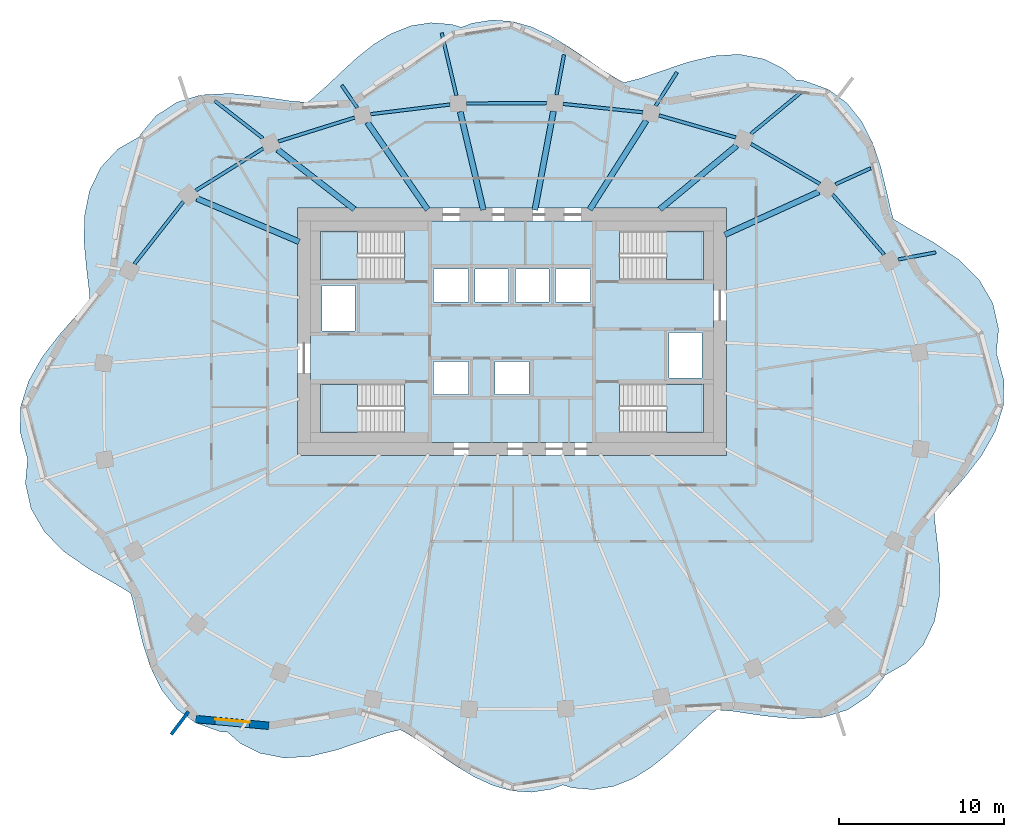
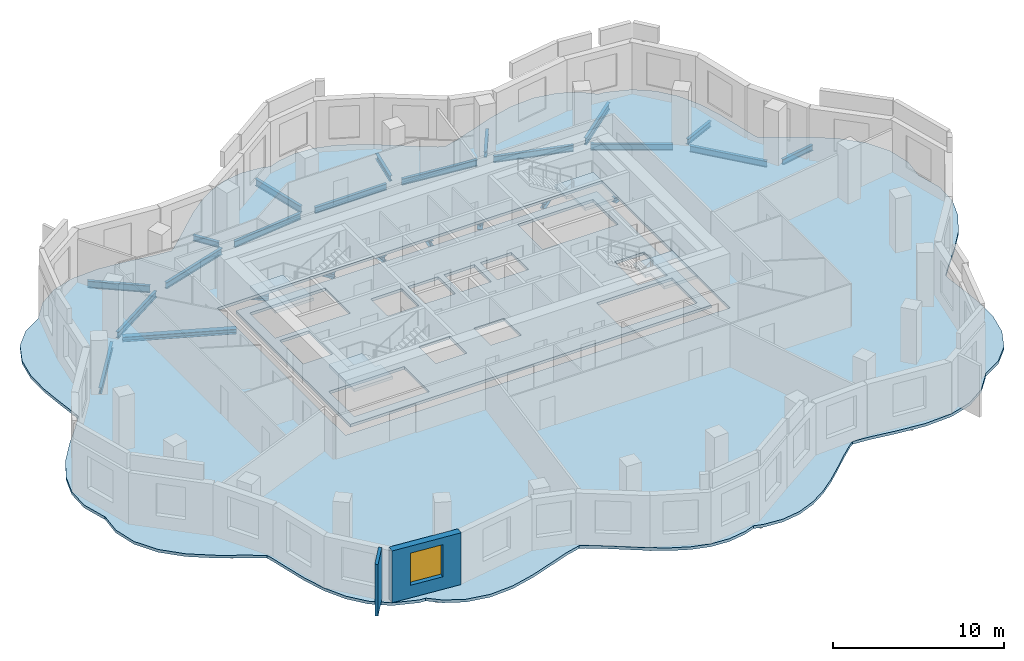
# One storey, part 2 of 9: 25 beams, 6 slabs, 2 walls, 1 window, 1 opening, 4 elements without a shape of their own.
"""IFC4 building model written with IfcOpenShell, lengths in metres."""

from ifc_helpers import new_model, si_unit, direction, frame, frame_2d, origin, origin_2d, place, context, subcontext, project, spatial, polyline, rectangle, i_section, outline, extrude, material, layer, layer_set, material_profile, profile_set, type_object, element, fill, aggregate, save


model = new_model("IFC4")

# Units and contexts
model_context = context("Model", 3, precision=1e-05, world=origin(), true_north=direction((0.0, 1.0)))
body_context = subcontext(model_context, "Body", "Model", "MODEL_VIEW")
ifc_project = project(units=[si_unit("LENGTHUNIT", "METRE"), si_unit("AREAUNIT", "SQUARE_METRE"), si_unit("VOLUMEUNIT", "CUBIC_METRE"), si_unit("PLANEANGLEUNIT", "RADIAN"), si_unit("MASSUNIT", "GRAM", prefix="KILO")], contexts=[model_context])

# Site, building, storey
site_placement = place(None, origin())
site = spatial("IfcSite", under=ifc_project, at=site_placement, CompositionType="ELEMENT")
building_placement = place(site_placement, origin())
building = spatial("IfcBuilding", under=site, at=building_placement, Name="Rubra Terraces Tower", CompositionType="ELEMENT")
storey_placement = place(building_placement, frame((0.0, 0.0, 248.699951171875)))
storey = spatial("IfcBuildingStorey", under=building, at=storey_placement, Name="L61", CompositionType="ELEMENT", Elevation=248.699951171875)

# Beams
ifc_material_1 = material(Name="Steel Q355B", Category="steel")
ifc_material_profile_1 = material_profile(ifc_material_1, i_section(OverallWidth=0.199951171875, OverallDepth=0.39990234375, WebThickness=0.008056640625, FlangeThickness=0.012939453125, at=origin_2d()), Name="HN 400x200x8x13")
ifc_profile_set_1 = profile_set([ifc_material_profile_1], Name="Steel Q355B")
beam_type_1 = type_object("IfcBeamType", Name="CANTILEVER BEAM HN 400x200x8x13", PredefinedType="BEAM", material=ifc_profile_set_1)
beam_1_placement = place(storey_placement, frame((23.39794921875, 8.884033203125, -0.39990234375), z_axis=(0.982868607844, 0.184307622507, 0.0), x_axis=(-0.184307622507, 0.982868607844, 0.0)))
element("IfcBeam", 1, at=beam_1_placement, inside=storey, type_object=beam_type_1, Name="beam-L61-cant-02", PredefinedType="BEAM", context=body_context, shape_type="SweptSolid", body=[
    extrude(i_section(OverallWidth=0.199951171875, OverallDepth=0.39990234375, WebThickness=0.008056640625, FlangeThickness=0.012939453125, at=origin_2d()), origin(), (0.0, 0.0, 1.0), 2.31689453125),
])
beam_2_placement = place(storey_placement, frame((19.596923828125, 13.43896484375, -0.39990234375), z_axis=(0.909791454917, 0.415065667769, 0.0), x_axis=(-0.415065667769, 0.909791454917, 0.0)))
element("IfcBeam", 2, at=beam_2_placement, inside=storey, type_object=beam_type_1, Name="beam-L61-cant-03", PredefinedType="BEAM", context=body_context, shape_type="SweptSolid", body=[
    extrude(i_section(OverallWidth=0.199951171875, OverallDepth=0.39990234375, WebThickness=0.008056640625, FlangeThickness=0.012939453125, at=origin_2d()), origin(), (0.0, 0.0, 1.0), 2.344482421875),
])
beam_3_placement = place(storey_placement, frame((8.7099609375, 18.201904296875, -0.39990234375), z_axis=(0.536577917642, 0.84385077964, 0.0), x_axis=(-0.84385077964, 0.536577917642, 0.0)))
element("IfcBeam", 3, at=beam_3_placement, inside=storey, type_object=beam_type_1, Name="beam-L61-cant-05", PredefinedType="BEAM", context=body_context, shape_type="SweptSolid", body=[
    extrude(i_section(OverallWidth=0.199951171875, OverallDepth=0.39990234375, WebThickness=0.008056640625, FlangeThickness=0.012939453125, at=origin_2d()), origin(), (0.0, 0.0, 1.0), 2.38916015625),
])
beam_4_placement = place(storey_placement, frame((2.695068359375, 18.85400390625, -0.39990234375), z_axis=(0.18429449499, 0.982871069427, 0.0), x_axis=(-0.982871069427, 0.18429449499, 0.0)))
element("IfcBeam", 4, at=beam_4_placement, inside=storey, type_object=beam_type_1, Name="beam-L61-cant-06", PredefinedType="BEAM", context=body_context, shape_type="SweptSolid", body=[
    extrude(i_section(OverallWidth=0.199951171875, OverallDepth=0.39990234375, WebThickness=0.008056640625, FlangeThickness=0.012939453125, at=origin_2d()), origin(), (0.0, 0.0, 1.0), 2.473388671875),
])
beam_5_placement = place(storey_placement, frame((-9.3701171875, 18.070068359375, -0.39990234375), z_axis=(-0.568287582361, 0.822830009014, 0.0), x_axis=(-0.822830009014, -0.568287582361, 0.0)))
element("IfcBeam", 5, at=beam_5_placement, inside=storey, type_object=beam_type_1, Name="beam-L61-cant-08", PredefinedType="BEAM", context=body_context, shape_type="SweptSolid", body=[
    extrude(i_section(OverallWidth=0.199951171875, OverallDepth=0.39990234375, WebThickness=0.008056640625, FlangeThickness=0.012939453125, at=origin_2d()), origin(), (0.0, 0.0, 1.0), 1.666015625),
])
ifc_material_profile_2 = material_profile(ifc_material_1, i_section(OverallWidth=0.198974609375, OverallDepth=0.49609375, WebThickness=0.009033203125, FlangeThickness=0.013916015625, at=origin_2d()), Name="HN 496x199x9x14")
ifc_profile_set_2 = profile_set([ifc_material_profile_2], Name="Steel Q355B")
beam_type_2 = type_object("IfcBeamType", Name="CANTILEVER BEAM HN 496x199x9x14", PredefinedType="BEAM", material=ifc_profile_set_2)
beam_6_placement = place(storey_placement, frame((14.47509765625, 16.4951171875, -0.447998046875), z_axis=(0.770112647774, 0.637907916347, 0.0), x_axis=(-0.637907916347, 0.770112647774, 0.0)))
element("IfcBeam", 6, at=beam_6_placement, inside=storey, type_object=beam_type_2, Name="beam-L61-cant-04", PredefinedType="BEAM", context=body_context, shape_type="SweptSolid", body=[
    extrude(i_section(OverallWidth=0.198974609375, OverallDepth=0.49609375, WebThickness=0.009033203125, FlangeThickness=0.013916015625, at=origin_2d()), origin(), (0.0, 0.0, 1.0), 3.949951171875),
])
beam_7_placement = place(storey_placement, frame((-3.3701171875, 18.823974609375, -0.447998046875), z_axis=(-0.228972734486, 0.973432836338, 0.0), x_axis=(-0.973432836338, -0.228972734486, 0.0)))
element("IfcBeam", 7, at=beam_7_placement, inside=storey, type_object=beam_type_2, Name="beam-L61-cant-07", PredefinedType="BEAM", context=body_context, shape_type="SweptSolid", body=[
    extrude(i_section(OverallWidth=0.198974609375, OverallDepth=0.49609375, WebThickness=0.009033203125, FlangeThickness=0.013916015625, at=origin_2d()), origin(), (0.0, 0.0, 1.0), 3.882080078125),
])
beam_8_placement = place(storey_placement, frame((-15.087890625, 16.22705078125, -0.447998046875), z_axis=(-0.789596931968, 0.613625851009, 0.0), x_axis=(-0.613625851009, -0.789596931968, 0.0)))
element("IfcBeam", 8, at=beam_8_placement, inside=storey, type_object=beam_type_2, Name="beam-L61-cant-09", PredefinedType="BEAM", context=body_context, shape_type="SweptSolid", body=[
    extrude(i_section(OverallWidth=0.198974609375, OverallDepth=0.49609375, WebThickness=0.009033203125, FlangeThickness=0.013916015625, at=origin_2d()), origin(), (0.0, 0.0, 1.0), 3.705810546875),
])
ifc_material_profile_3 = material_profile(ifc_material_1, i_section(OverallWidth=0.35009765625, OverallDepth=0.35009765625, WebThickness=0.011962890625, FlangeThickness=0.01904296875, at=origin_2d()), Name="HW 350x350x12x19")
ifc_profile_set_3 = profile_set([ifc_material_profile_3], Name="Steel Q355B")
beam_type_3 = type_object("IfcBeamType", Name="FLOOR BEAM HW 350x350x12x19", PredefinedType="BEAM", material=ifc_profile_set_3)
beam_9_placement = place(storey_placement, frame((18.5869140625, 12.97900390625, -0.375), z_axis=(-0.909756526533, -0.415142219523, 0.0), x_axis=(0.415142219523, -0.909756526533, 0.0)))
element("IfcBeam", 9, at=beam_9_placement, inside=storey, type_object=beam_type_3, Name="beam-L61-floor-03", PredefinedType="BEAM", context=body_context, shape_type="SweptSolid", body=[
    extrude(i_section(OverallWidth=0.35009765625, OverallDepth=0.35009765625, WebThickness=0.011962890625, FlangeThickness=0.01904296875, at=origin_2d()), origin(), (0.0, 0.0, 1.0), 6.2607421875),
])
beam_10_placement = place(storey_placement, frame((13.60888671875, 15.777099609375, -0.375), z_axis=(-0.769987518392, -0.638058948312, 0.0), x_axis=(0.638058948312, -0.769987518392, 0.0)))
element("IfcBeam", 10, at=beam_10_placement, inside=storey, type_object=beam_type_3, Name="beam-L61-floor-04", PredefinedType="BEAM", context=body_context, shape_type="SweptSolid", body=[
    extrude(i_section(OverallWidth=0.35009765625, OverallDepth=0.35009765625, WebThickness=0.011962890625, FlangeThickness=0.01904296875, at=origin_2d()), origin(), (0.0, 0.0, 1.0), 6.040283203125),
])
beam_11_placement = place(storey_placement, frame((8.134033203125, 17.2958984375, -0.375), z_axis=(-0.536509861106, -0.843894050776, 0.0), x_axis=(0.843894050776, -0.536509861106, 0.0)))
element("IfcBeam", 11, at=beam_11_placement, inside=storey, type_object=beam_type_3, Name="beam-L61-floor-05", PredefinedType="BEAM", context=body_context, shape_type="SweptSolid", body=[
    extrude(i_section(OverallWidth=0.35009765625, OverallDepth=0.35009765625, WebThickness=0.011962890625, FlangeThickness=0.01904296875, at=origin_2d()), origin(), (0.0, 0.0, 1.0), 6.395263671875),
])
beam_12_placement = place(storey_placement, frame((2.509033203125, 17.862060546875, -0.375), z_axis=(-0.184574398021, -0.982818544593, 0.0), x_axis=(0.982818544593, -0.184574398021, 0.0)))
element("IfcBeam", 12, at=beam_12_placement, inside=storey, type_object=beam_type_3, Name="beam-L61-floor-06", PredefinedType="BEAM", context=body_context, shape_type="SweptSolid", body=[
    extrude(i_section(OverallWidth=0.35009765625, OverallDepth=0.35009765625, WebThickness=0.011962890625, FlangeThickness=0.01904296875, at=origin_2d()), origin(), (0.0, 0.0, 1.0), 6.08447265625),
])
beam_13_placement = place(storey_placement, frame((-3.137939453125, 17.8359375, -0.375), z_axis=(0.229070485592, -0.973409837957, 0.0), x_axis=(0.973409837957, 0.229070485592, 0.0)))
element("IfcBeam", 13, at=beam_13_placement, inside=storey, type_object=beam_type_3, Name="beam-L61-floor-07", PredefinedType="BEAM", context=body_context, shape_type="SweptSolid", body=[
    extrude(i_section(OverallWidth=0.35009765625, OverallDepth=0.35009765625, WebThickness=0.011962890625, FlangeThickness=0.01904296875, at=origin_2d()), origin(), (0.0, 0.0, 1.0), 6.115478515625),
])
beam_14_placement = place(storey_placement, frame((-8.756103515625, 17.179931640625, -0.375), z_axis=(0.568186422001, -0.822899866238, 0.0), x_axis=(0.822899866238, 0.568186422001, 0.0)))
element("IfcBeam", 14, at=beam_14_placement, inside=storey, type_object=beam_type_3, Name="beam-L61-floor-08", PredefinedType="BEAM", context=body_context, shape_type="SweptSolid", body=[
    extrude(i_section(OverallWidth=0.35009765625, OverallDepth=0.35009765625, WebThickness=0.011962890625, FlangeThickness=0.01904296875, at=origin_2d()), origin(), (0.0, 0.0, 1.0), 6.415283203125),
])
beam_15_placement = place(storey_placement, frame((-14.197998046875, 15.534912109375, -0.375), z_axis=(0.789548898228, -0.613687654517, 0.0), x_axis=(0.613687654517, 0.789548898228, 0.0)))
element("IfcBeam", 15, at=beam_15_placement, inside=storey, type_object=beam_type_3, Name="beam-L61-floor-09", PredefinedType="BEAM", context=body_context, shape_type="SweptSolid", body=[
    extrude(i_section(OverallWidth=0.35009765625, OverallDepth=0.35009765625, WebThickness=0.011962890625, FlangeThickness=0.01904296875, at=origin_2d()), origin(), (0.0, 0.0, 1.0), 5.880615234375),
])
beam_16_placement = place(storey_placement, frame((-19.083984375, 12.574951171875, -0.375), z_axis=(0.92097476483, -0.38962223056, 0.0), x_axis=(0.38962223056, 0.92097476483, 0.0)))
element("IfcBeam", 16, at=beam_16_placement, inside=storey, type_object=beam_type_3, Name="beam-L61-floor-10", PredefinedType="BEAM", context=body_context, shape_type="SweptSolid", body=[
    extrude(i_section(OverallWidth=0.35009765625, OverallDepth=0.35009765625, WebThickness=0.011962890625, FlangeThickness=0.01904296875, at=origin_2d()), origin(), (0.0, 0.0, 1.0), 6.7265625),
])
ifc_material_profile_4 = material_profile(ifc_material_1, i_section(OverallWidth=0.198974609375, OverallDepth=0.446044921875, WebThickness=0.008056640625, FlangeThickness=0.011962890625, at=origin_2d()), Name="HN 446x199x8x12")
ifc_profile_set_4 = profile_set([ifc_material_profile_4], Name="Steel Q355B")
beam_type_4 = type_object("IfcBeamType", Name="SPANDREL BEAM HN 446x199x8x12", PredefinedType="SPANDREL", material=ifc_profile_set_4)
beam_17_placement = place(storey_placement, frame((22.547119140625, 9.174072265625, -0.4228515625), z_axis=(-0.650372836218, 0.759615148552, 0.0), x_axis=(-0.759615148552, -0.650372836218, 0.0)))
element("IfcBeam", 17, at=beam_17_placement, inside=storey, type_object=beam_type_4, Name="beam-L61-spandrel-02", PredefinedType="SPANDREL", context=body_context, shape_type="SweptSolid", body=[
    extrude(i_section(OverallWidth=0.198974609375, OverallDepth=0.446044921875, WebThickness=0.008056640625, FlangeThickness=0.011962890625, at=origin_2d()), origin(), (0.0, 0.0, 1.0), 4.804931640625),
])
beam_18_placement = place(storey_placement, frame((18.653076171875, 13.462890625, -0.4228515625), z_axis=(-0.865153680787, 0.501506838059, 0.0), x_axis=(-0.501506838059, -0.865153680787, 0.0)))
element("IfcBeam", 18, at=beam_18_placement, inside=storey, type_object=beam_type_4, Name="beam-L61-spandrel-03", PredefinedType="SPANDREL", context=body_context, shape_type="SweptSolid", body=[
    extrude(i_section(OverallWidth=0.198974609375, OverallDepth=0.446044921875, WebThickness=0.008056640625, FlangeThickness=0.011962890625, at=origin_2d()), origin(), (0.0, 0.0, 1.0), 4.82568359375),
])
beam_19_placement = place(storey_placement, frame((13.55810546875, 16.27490234375, -0.4228515625), z_axis=(-0.961171164323, 0.275952881621, 0.0), x_axis=(-0.275952881621, -0.961171164323, 0.0)))
element("IfcBeam", 19, at=beam_19_placement, inside=storey, type_object=beam_type_4, Name="beam-L61-spandrel-04", PredefinedType="SPANDREL", context=body_context, shape_type="SweptSolid", body=[
    extrude(i_section(OverallWidth=0.198974609375, OverallDepth=0.446044921875, WebThickness=0.008056640625, FlangeThickness=0.011962890625, at=origin_2d()), origin(), (0.0, 0.0, 1.0), 4.842041015625),
])
beam_20_placement = place(storey_placement, frame((7.923095703125, 17.801025390625, -0.4228515625), z_axis=(-0.994565426955, 0.104113454971, 0.0), x_axis=(-0.104113454971, -0.994565426955, 0.0)))
element("IfcBeam", 20, at=beam_20_placement, inside=storey, type_object=beam_type_4, Name="beam-L61-spandrel-05", PredefinedType="SPANDREL", context=body_context, shape_type="SweptSolid", body=[
    extrude(i_section(OverallWidth=0.198974609375, OverallDepth=0.446044921875, WebThickness=0.008056640625, FlangeThickness=0.011962890625, at=origin_2d()), origin(), (0.0, 0.0, 1.0), 4.849365234375),
])
beam_21_placement = place(storey_placement, frame((2.10107421875, 18.35595703125, -0.4228515625), z_axis=(-0.999987852299, -0.004929021704, 0.0), x_axis=(0.004929021704, -0.999987852299, 0.0)))
element("IfcBeam", 21, at=beam_21_placement, inside=storey, type_object=beam_type_4, Name="beam-L61-spandrel-06", PredefinedType="SPANDREL", context=body_context, shape_type="SweptSolid", body=[
    extrude(i_section(OverallWidth=0.198974609375, OverallDepth=0.446044921875, WebThickness=0.008056640625, FlangeThickness=0.011962890625, at=origin_2d()), origin(), (0.0, 0.0, 1.0), 4.85400390625),
])
beam_22_placement = place(storey_placement, frame((-3.7509765625, 18.27001953125, -0.4228515625), z_axis=(-0.992698018573, -0.120626049929, 0.0), x_axis=(0.120626049929, -0.992698018573, 0.0)))
element("IfcBeam", 22, at=beam_22_placement, inside=storey, type_object=beam_type_4, Name="beam-L61-spandrel-07", PredefinedType="SPANDREL", context=body_context, shape_type="SweptSolid", body=[
    extrude(i_section(OverallWidth=0.198974609375, OverallDepth=0.446044921875, WebThickness=0.008056640625, FlangeThickness=0.011962890625, at=origin_2d()), origin(), (0.0, 0.0, 1.0), 4.849365234375),
])
beam_23_placement = place(storey_placement, frame((-9.5419921875, 17.47509765625, -0.4228515625), z_axis=(-0.954462027342, -0.298332429282, 0.0), x_axis=(0.298332429282, -0.954462027342, 0.0)))
element("IfcBeam", 23, at=beam_23_placement, inside=storey, type_object=beam_type_4, Name="beam-L61-spandrel-08", PredefinedType="SPANDREL", context=body_context, shape_type="SweptSolid", body=[
    extrude(i_section(OverallWidth=0.198974609375, OverallDepth=0.446044921875, WebThickness=0.008056640625, FlangeThickness=0.011962890625, at=origin_2d()), origin(), (0.0, 0.0, 1.0), 4.840576171875),
])
beam_24_placement = place(storey_placement, frame((-15.071044921875, 15.614013671875, -0.4228515625), z_axis=(-0.848183088492, -0.529703170083, 0.0), x_axis=(0.529703170083, -0.848183088492, 0.0)))
element("IfcBeam", 24, at=beam_24_placement, inside=storey, type_object=beam_type_4, Name="beam-L61-spandrel-09", PredefinedType="SPANDREL", context=body_context, shape_type="SweptSolid", body=[
    extrude(i_section(OverallWidth=0.198974609375, OverallDepth=0.446044921875, WebThickness=0.008056640625, FlangeThickness=0.011962890625, at=origin_2d()), origin(), (0.0, 0.0, 1.0), 4.8232421875),
])
beam_25_placement = place(storey_placement, frame((-19.906005859375, 12.39111328125, -0.4228515625), z_axis=(-0.617060338015, -0.786915840004, 0.0), x_axis=(0.786915840004, -0.617060338015, 0.0)))
element("IfcBeam", 25, at=beam_25_placement, inside=storey, type_object=beam_type_4, Name="beam-L61-spandrel-10", PredefinedType="SPANDREL", context=body_context, shape_type="SweptSolid", body=[
    extrude(i_section(OverallWidth=0.198974609375, OverallDepth=0.446044921875, WebThickness=0.008056640625, FlangeThickness=0.011962890625, at=origin_2d()), origin(), (0.0, 0.0, 1.0), 4.8037109375),
])

# Slab
ifc_material_2 = material(Name="Concrete C40", Category="concrete")
ifc_layer_1 = layer(ifc_material_2, 0.199951171875)
ifc_layer_set_1 = layer_set([ifc_layer_1], Name="Concrete C40")
slab_type_1 = type_object("IfcSlabType", Name="Core floor slab 200 concrete", PredefinedType="FLOOR", material=ifc_layer_set_1)
slab_1_placement = place(storey_placement, frame((0.0, 0.0, -0.199951171875)))
element("IfcSlab", 26, at=slab_1_placement, inside=storey, type_object=slab_type_1, Name="CORE FLOOR SLAB L61", PredefinedType="FLOOR", context=body_context, shape_type="SweptSolid", body=[
    extrude(outline(polyline([(-12.199951171875, -2.199951171875), (-12.199951171875, 11.199951171875), (12.199951171875, 11.199951171875), (12.199951171875, -2.199951171875), (-12.199951171875, -2.199951171875)]), holes=[polyline([(11.597900390625, 1.347900390625), (6.501953125, 1.347900390625), (6.501953125, -1.597900390625), (11.597900390625, -1.597900390625), (11.597900390625, 1.347900390625)]), polyline([(11.597900390625, 7.652099609375), (11.597900390625, 10.597900390625), (6.501953125, 10.597900390625), (6.501953125, 7.652099609375), (11.597900390625, 7.652099609375)]), polyline([(9.5, 1.699951171875), (11.5, 1.699951171875), (11.5, 4.449951171875), (9.5, 4.449951171875), (9.5, 1.699951171875)]), polyline([(4.75, 6.300048828125), (4.75, 8.300048828125), (2.64990234375, 8.300048828125), (2.64990234375, 6.300048828125), (4.75, 6.300048828125)]), polyline([(2.25, 8.300048828125), (0.199951171875, 8.300048828125), (0.199951171875, 6.300048828125), (2.25, 6.300048828125), (2.25, 8.300048828125)]), polyline([(1.02490234375, 0.699951171875), (1.02490234375, 2.699951171875), (-1.02490234375, 2.699951171875), (-1.02490234375, 0.699951171875), (1.02490234375, 0.699951171875)]), polyline([(-0.199951171875, 6.300048828125), (-0.199951171875, 8.300048828125), (-2.25, 8.300048828125), (-2.25, 6.300048828125), (-0.199951171875, 6.300048828125)]), polyline([(-4.75, 8.300048828125), (-4.75, 6.300048828125), (-2.64990234375, 6.300048828125), (-2.64990234375, 8.300048828125), (-4.75, 8.300048828125)]), polyline([(-2.64990234375, 0.699951171875), (-2.64990234375, 2.699951171875), (-4.75, 2.699951171875), (-4.75, 0.699951171875), (-2.64990234375, 0.699951171875)]), polyline([(-11.597900390625, -1.597900390625), (-6.501953125, -1.597900390625), (-6.501953125, 1.347900390625), (-11.597900390625, 1.347900390625), (-11.597900390625, -1.597900390625)]), polyline([(-11.597900390625, 10.597900390625), (-11.597900390625, 7.652099609375), (-6.501953125, 7.652099609375), (-6.501953125, 10.597900390625), (-11.597900390625, 10.597900390625)]), polyline([(-9.5, 4.550048828125), (-9.5, 7.300048828125), (-11.5, 7.300048828125), (-11.5, 4.550048828125), (-9.5, 4.550048828125)])]), origin(), (0.0, 0.0, 1.0), 0.199951171875),
])

# Stair, slab
stair_type = type_object("IfcStairType", Name="Core stair 1400", PredefinedType="HALF_TURN_STAIR", material=ifc_material_2)
stair_1_placement = place(storey_placement, origin())
stair_1 = element("IfcStair", 27, at=stair_1_placement, inside=storey, type_object=stair_type, Name="L61 Exit stair S1", PredefinedType="HALF_TURN_STAIR")
ifc_layer_2 = layer(ifc_material_2, 0.199951171875)
ifc_layer_set_2 = layer_set([ifc_layer_2], Name="Concrete C40")
slab_type_2 = type_object("IfcSlabType", Name="Core stair landing 200", PredefinedType="LANDING", material=ifc_layer_set_2)
slab_2_placement = place(storey_placement, frame((0.0, 0.0, 1.75)))
slab_2 = element("IfcSlab", 28, at=slab_2_placement, type_object=slab_type_2, Name="S1 landing 1", PredefinedType="LANDING", context=body_context, shape_type="SweptSolid", body=[
    extrude(outline(polyline([(-8.97998046875, -0.199951171875), (-8.97998046875, -1.60009765625), (-9.360107421875, -1.60009765625), (-9.3798828125, -1.60009765625), (-11.60009765625, -1.60009765625), (-11.60009765625, 1.35009765625), (-9.3798828125, 1.35009765625), (-9.35791015625, 1.35009765625), (-9.35791015625, -0.050048828125), (-9.360107421875, -0.050048828125), (-9.360107421875, -0.199951171875), (-8.97998046875, -0.199951171875)])), origin(), (0.0, 0.0, 1.0), 0.199951171875),
])
aggregate(stair_1, [slab_2])

stair_2_placement = place(storey_placement, origin())
stair_2 = element("IfcStair", 29, at=stair_2_placement, inside=storey, type_object=stair_type, Name="L61 Exit stair S2", PredefinedType="HALF_TURN_STAIR")
slab_3_placement = place(storey_placement, frame((0.0, 0.0, 1.75)))
slab_3 = element("IfcSlab", 30, at=slab_3_placement, type_object=slab_type_2, Name="S2 landing 1", PredefinedType="LANDING", context=body_context, shape_type="SweptSolid", body=[
    extrude(outline(polyline([(-8.97998046875, 9.050048828125), (-8.97998046875, 7.64990234375), (-9.3798828125, 7.64990234375), (-11.60009765625, 7.64990234375), (-11.60009765625, 10.60009765625), (-9.3798828125, 10.60009765625), (-9.360107421875, 10.60009765625), (-9.35791015625, 10.60009765625), (-9.35791015625, 9.199951171875), (-9.360107421875, 9.199951171875), (-9.360107421875, 9.050048828125), (-8.97998046875, 9.050048828125)])), origin(), (0.0, 0.0, 1.0), 0.199951171875),
])
aggregate(stair_2, [slab_3])

stair_3_placement = place(storey_placement, origin())
stair_3 = element("IfcStair", 31, at=stair_3_placement, inside=storey, type_object=stair_type, Name="L61 Exit stair S3", PredefinedType="HALF_TURN_STAIR")
slab_4_placement = place(storey_placement, frame((0.0, 0.0, 1.75)))
slab_4 = element("IfcSlab", 32, at=slab_4_placement, type_object=slab_type_2, Name="S3 landing 1", PredefinedType="LANDING", context=body_context, shape_type="SweptSolid", body=[
    extrude(outline(polyline([(9.360107421875, 9.050048828125), (9.360107421875, 9.199951171875), (8.97998046875, 9.199951171875), (8.97998046875, 10.60009765625), (9.360107421875, 10.60009765625), (9.3798828125, 10.60009765625), (11.60009765625, 10.60009765625), (11.60009765625, 7.64990234375), (9.3798828125, 7.64990234375), (9.35791015625, 7.64990234375), (9.35791015625, 9.050048828125), (9.360107421875, 9.050048828125)])), origin(), (0.0, 0.0, 1.0), 0.199951171875),
])
aggregate(stair_3, [slab_4])

stair_4_placement = place(storey_placement, origin())
stair_4 = element("IfcStair", 33, at=stair_4_placement, inside=storey, type_object=stair_type, Name="L61 Exit stair S4", PredefinedType="HALF_TURN_STAIR")
slab_5_placement = place(storey_placement, frame((0.0, 0.0, 1.75)))
slab_5 = element("IfcSlab", 34, at=slab_5_placement, type_object=slab_type_2, Name="S4 landing 1", PredefinedType="LANDING", context=body_context, shape_type="SweptSolid", body=[
    extrude(outline(polyline([(9.360107421875, -0.199951171875), (9.360107421875, -0.050048828125), (8.97998046875, -0.050048828125), (8.97998046875, 1.35009765625), (9.360107421875, 1.35009765625), (9.3798828125, 1.35009765625), (11.60009765625, 1.35009765625), (11.60009765625, -1.60009765625), (9.3798828125, -1.60009765625), (9.360107421875, -1.60009765625), (9.35791015625, -1.60009765625), (9.35791015625, -0.199951171875), (9.360107421875, -0.199951171875)])), origin(), (0.0, 0.0, 1.0), 0.199951171875),
])
aggregate(stair_4, [slab_5])

# Slab
ifc_layer_3 = layer(ifc_material_2, 0.199951171875)
ifc_layer_set_3 = layer_set([ifc_layer_3], Name="Concrete C40")
slab_type_3 = type_object("IfcSlabType", Name="FLOOR SLAB 200 COMPOSITE", PredefinedType="FLOOR", material=ifc_layer_set_3)
slab_6_placement = place(storey_placement, frame((0.0, 0.0, -0.199951171875)))
element("IfcSlab", 35, at=slab_6_placement, inside=storey, type_object=slab_type_3, Name="FLOOR SLAB L61", PredefinedType="FLOOR", context=body_context, shape_type="SweptSolid", body=[
    extrude(outline(polyline([(24.069091796875, 10.74609375), (23.112060546875, 11.324951171875), (22.988037109375, 11.712890625), (22.68408203125, 13.0390625), (22.342041015625, 14.4599609375), (21.8701171875, 15.889892578125), (21.199951171875, 17.222900390625), (20.301025390625, 18.346923828125), (19.179931640625, 19.179931640625), (17.657958984375, 19.72412109375), (17.235107421875, 19.7529296875), (16.466064453125, 20.4189453125), (15.27392578125, 21.02294921875), (13.781005859375, 21.31494140625), (12.205078125, 21.215087890625), (10.611083984375, 20.825927734375), (9.1240234375, 20.320068359375), (7.697021484375, 19.83203125), (6.784912109375, 19.60791015625), (6.427978515625, 19.782958984375), (5.45703125, 20.389892578125), (4.465087890625, 21.071044921875), (3.447021484375, 21.762939453125), (2.31591796875, 22.444091796875), (1.162109375, 22.97900390625), (0.0, 23.306884765625), (-1.201904296875, 23.389892578125), (-2.408935546875, 23.197998046875), (-3.06591796875, 22.949951171875), (-3.6630859375, 23.126953125), (-4.908935546875, 23.22900390625), (-6.138916015625, 23.037109375), (-7.330078125, 22.56103515625), (-8.3798828125, 21.910888671875), (-9.376953125, 21.118896484375), (-10.321044921875, 20.2548828125), (-11.237060546875, 19.384033203125), (-12.132080078125, 18.593017578125), (-12.39501953125, 18.402099609375), (-13.431884765625, 18.487060546875), (-15.18798828125, 18.7509765625), (-17.028076171875, 18.945068359375), (-18.85009765625, 18.85009765625), (-20.320068359375, 18.403076171875), (-21.5791015625, 17.572998046875), (-22.55908203125, 16.389892578125), (-23.196044921875, 15.06103515625), (-22.60107421875, 16.302978515625), (-23.864990234375, 15.5810546875), (-24.9140625, 14.4560546875), (-25.593994140625, 13.041015625), (-25.89892578125, 11.50390625), (-25.923095703125, 9.916015625), (-25.779052734375, 8.3759765625), (-25.596923828125, 6.819091796875), (-25.587890625, 6.4599609375), (-26.281982421875, 5.613037109375), (-27.404052734375, 4.340087890625), (-28.449951171875, 2.988037109375), (-29.281982421875, 1.51904296875), (-29.757080078125, 0.0), (-29.802978515625, -1.535888671875), (-29.383056640625, -3.072021484375), (-29.3359375, -3.153076171875), (-29.47607421875, -4.6689453125), (-29.134033203125, -6.214111328125), (-28.319091796875, -7.618896484375), (-27.135009765625, -8.81689453125), (-25.60693359375, -9.8779296875), (-24.069091796875, -10.74609375), (-23.112060546875, -11.324951171875), (-22.988037109375, -11.712890625), (-22.68408203125, -13.0390625), (-22.342041015625, -14.4599609375), (-21.8701171875, -15.889892578125), (-21.199951171875, -17.222900390625), (-20.301025390625, -18.346923828125), (-19.179931640625, -19.179931640625), (-17.657958984375, -19.72412109375), (-17.235107421875, -19.7529296875), (-16.466064453125, -20.4189453125), (-15.27392578125, -21.02294921875), (-13.781005859375, -21.31494140625), (-12.205078125, -21.215087890625), (-10.611083984375, -20.825927734375), (-9.1240234375, -20.320068359375), (-7.697021484375, -19.83203125), (-6.784912109375, -19.60791015625), (-6.427978515625, -19.782958984375), (-5.45703125, -20.389892578125), (-4.465087890625, -21.071044921875), (-3.447021484375, -21.762939453125), (-2.31591796875, -22.444091796875), (-1.162109375, -22.97900390625), (0.0, -23.306884765625), (1.201904296875, -23.389892578125), (2.408935546875, -23.197998046875), (3.06591796875, -22.949951171875), (3.6630859375, -23.126953125), (4.908935546875, -23.22900390625), (6.138916015625, -23.037109375), (7.330078125, -22.56103515625), (8.3798828125, -21.910888671875), (9.376953125, -21.118896484375), (10.321044921875, -20.2548828125), (11.237060546875, -19.384033203125), (12.132080078125, -18.593017578125), (12.39501953125, -18.402099609375), (13.431884765625, -18.487060546875), (15.18798828125, -18.7509765625), (17.028076171875, -18.945068359375), (18.85009765625, -18.85009765625), (20.320068359375, -18.403076171875), (21.5791015625, -17.572998046875), (22.55908203125, -16.389892578125), (23.196044921875, -15.06103515625), (22.60107421875, -16.302978515625), (23.864990234375, -15.5810546875), (24.9140625, -14.4560546875), (25.593994140625, -13.041015625), (25.89892578125, -11.50390625), (25.923095703125, -9.916015625), (25.779052734375, -8.3759765625), (25.596923828125, -6.819091796875), (25.587890625, -6.4599609375), (26.281982421875, -5.613037109375), (27.404052734375, -4.340087890625), (28.449951171875, -2.988037109375), (29.281982421875, -1.51904296875), (29.757080078125, 0.0), (29.802978515625, 1.535888671875), (29.383056640625, 3.072021484375), (29.3359375, 3.153076171875), (29.47607421875, 4.6689453125), (29.134033203125, 6.214111328125), (28.319091796875, 7.618896484375), (27.135009765625, 8.81689453125), (25.60693359375, 9.8779296875), (24.069091796875, 10.74609375)]), holes=[polyline([(13.0, 12.0), (13.0, -3.0), (-13.0, -3.0), (-13.0, 12.0), (13.0, 12.0)])]), origin(), (0.0, 0.0, 1.0), 0.199951171875),
])

# Wall, opening, window
ifc_material_3 = material(Name="Brick masonry red-brown", Category="masonry")
ifc_layer_4 = layer(ifc_material_3, 0.449951171875)
ifc_layer_set_4 = layer_set([ifc_layer_4], Name="Brick masonry red-brown")
wall_type_1 = type_object("IfcWallType", Name="Brick facade wall 450", PredefinedType="SOLIDWALL", material=ifc_layer_set_4)
wall_1_placement = place(storey_placement, frame((-19.1591796875, -18.955810546875, 0.0), z_axis=(0.0, 0.0, 1.0), x_axis=(0.995777399421, -0.091800712424, 0.0)))
wall_1 = element("IfcWall", 36, at=wall_1_placement, inside=storey, type_object=wall_type_1, Name="Facade wall L61 bay 26", PredefinedType="SOLIDWALL", context=body_context, shape_type="SweptSolid", body=[
    extrude(rectangle(XDim=4.45458984375, YDim=0.449951171875, at=frame_2d((2.227294921875, 0.0))), origin(), (0.0, 0.0, 1.0), 3.699951171875),
])
opening_placement = place(wall_1_placement, frame((1.177490234375, 0.0, 0.89990234375)))
opening = element("IfcOpeningElement", 37, at=opening_placement, cuts=wall_1, Name="Opening W1B", PredefinedType="OPENING", context=body_context, shape_type="SweptSolid", body=[
    extrude(rectangle(XDim=2.10009765625, YDim=2.300048828125, at=frame_2d((1.050048828125, 1.14990234375))), frame((0.0, 0.23486328125, 0.0), z_axis=(0.0, -1.0, 0.0), x_axis=(1.0, 0.0, 0.0)), (0.0, 0.0, 1.0), 0.469970703125),
])
ifc_material_4 = material(Name="Clear glass in aluminium frame", Category="aluminium")
window_type = type_object("IfcWindowType", Name="Fixed deep-set window tall storey 2100 x 2300", PartitioningType="SINGLE_PANEL", PredefinedType="WINDOW", material=ifc_material_4)
window_placement = place(opening_placement, origin())
window = element("IfcWindow", 38, at=window_placement, inside=storey, type_object=window_type, Name="Window L61 bay 26", OverallHeight=2.300048828125, OverallWidth=2.10009765625, PartitioningType="SINGLE_PANEL", PredefinedType="WINDOW", context=body_context, shape_type="SweptSolid", body=[
    extrude(rectangle(XDim=2.10009765625, YDim=2.300048828125, at=frame_2d((1.050048828125, 1.14990234375))), frame((0.0, 0.135009765625, 0.0), z_axis=(0.0, -1.0, 0.0), x_axis=(1.0, 0.0, 0.0)), (0.0, 0.0, 1.0), 0.06005859375),
])
fill(opening, window)

# Wall
ifc_layer_5 = layer(ifc_material_3, 0.199951171875)
ifc_layer_set_5 = layer_set([ifc_layer_5], Name="Brick masonry red-brown")
wall_type_2 = type_object("IfcWallType", Name="Brick wind fin 200", PredefinedType="SOLIDWALL", material=ifc_layer_set_5)
wall_2_placement = place(storey_placement, frame((-19.591064453125, -18.498046875, 0.0), z_axis=(0.0, 0.0, 1.0), x_axis=(-0.603387525063, -0.797448114048, 0.0)))
element("IfcWall", 39, at=wall_2_placement, inside=storey, type_object=wall_type_2, Name="Wind fin L61 15", PredefinedType="SOLIDWALL", context=body_context, shape_type="SweptSolid", body=[
    extrude(rectangle(XDim=1.75, YDim=0.199951171875, at=frame_2d((0.875, 0.0))), origin(), (0.0, 0.0, 1.0), 3.699951171875),
])

save(model, "model.ifc")
